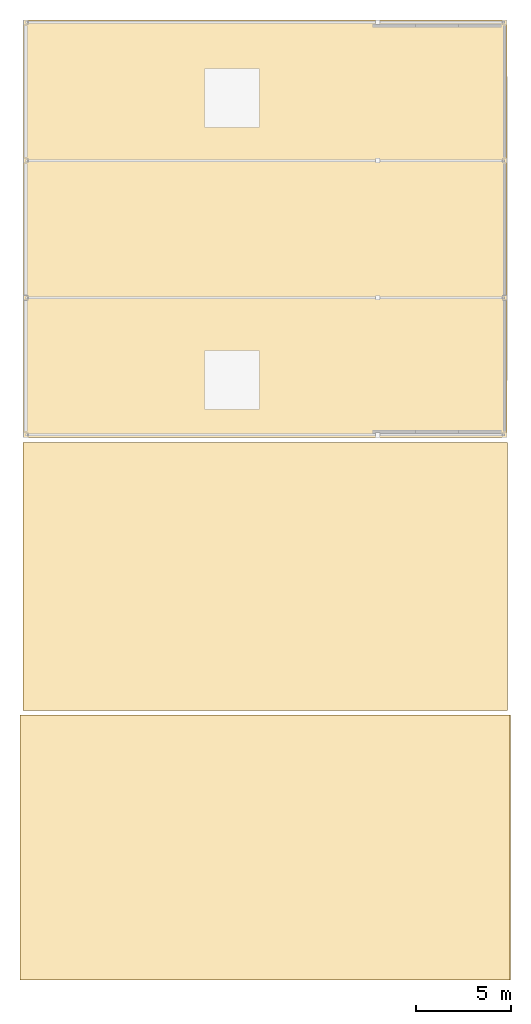
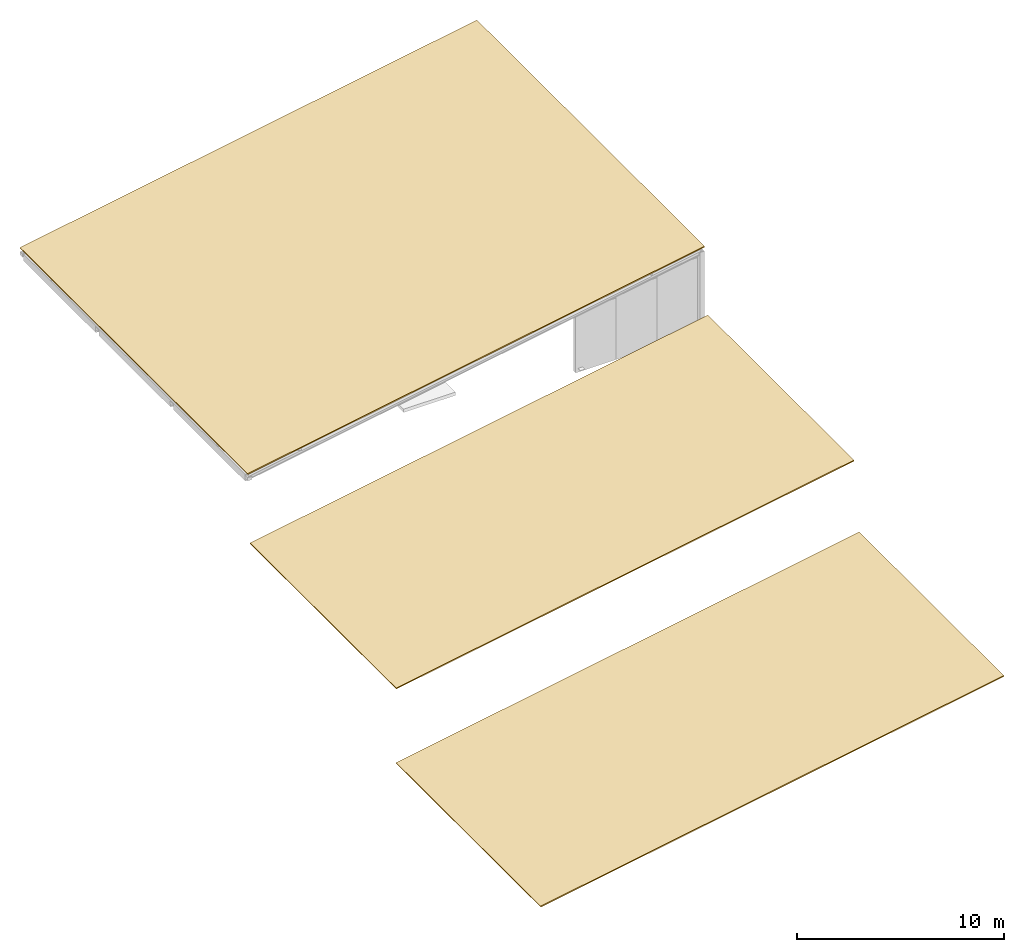
# One storey, part 2 of 2: 3 coverings, 1 element without a shape of its own.
"""IFC4 building model written with IfcOpenShell, lengths in metres."""

from ifc_helpers import new_model, si_unit, direction, frame, origin, place, context, subcontext, project, spatial, polyline, outline, extrude, material, layer, layer_set, type_object, element, aggregate, save


model = new_model("IFC4")

# Units and contexts
model_context = context("Model", 3, precision=1e-05, world=origin(), true_north=direction((0.0, 1.0)))
body_context = subcontext(model_context, "Body", "Model", "MODEL_VIEW")
ifc_project = project(units=[si_unit("LENGTHUNIT", "METRE"), si_unit("AREAUNIT", "SQUARE_METRE"), si_unit("VOLUMEUNIT", "CUBIC_METRE"), si_unit("PLANEANGLEUNIT", "RADIAN"), si_unit("MASSUNIT", "GRAM", prefix="KILO")], contexts=[model_context])

# Site, building, storey
site_placement = place(None, origin())
site = spatial("IfcSite", under=ifc_project, at=site_placement, CompositionType="ELEMENT")
building_placement = place(site_placement, origin())
building = spatial("IfcBuilding", under=site, at=building_placement, Name="Candilejo Ridge Gondola Terminal", CompositionType="ELEMENT")
storey_placement = place(building_placement, frame((0.0, 0.0, 27.0)))
storey = spatial("IfcBuildingStorey", under=building, at=storey_placement, Name="RF", CompositionType="ELEMENT", Elevation=27.0)

# Roof, coverings
ifc_material_1 = material(Name="Standing-seam Al-Mg-Mn alloy roofing EN AW-3004 1.0 mm", Category="aluminum")
roof_type = type_object("IfcRoofType", Name="ARC-ROOF-SHED", PredefinedType="SHED_ROOF", material=ifc_material_1)
roof_placement = place(storey_placement, origin())
roof = element("IfcRoof", 1, at=roof_placement, inside=storey, type_object=roof_type, Name="Standing-seam shed roof ROOF-SHED-V5B", PredefinedType="SHED_ROOF")
ifc_material_2 = material(Name="Standing-seam Al-Mg-Mn alloy roofing EN AW-3004 1.0 mm", Category="aluminum")
ifc_layer = layer(ifc_material_2, 0.06494140625)
ifc_layer_set = layer_set([ifc_layer], Name="ARC-COV-KALZIP")
covering_type = type_object("IfcCoveringType", Name="ARC-COV-KALZIP", PredefinedType="ROOFING", material=ifc_layer_set)
placement_1 = place(building_placement, frame((0.0, 0.0, 18.60009765625)))
covering_1_placement = place(placement_1, frame((149.699951171875, 70.25, 0.71484375), z_axis=(-0.173648174044, 0.0, 0.984807753651), x_axis=(0.984807753651, 0.0, 0.173648174044)))
covering_1 = element("IfcCovering", 2, at=covering_1_placement, type_object=covering_type, Name="Kalzip standing-seam roof sheet RF-V5-MID1", PredefinedType="ROOFING", context=body_context, shape_type="SweptSolid", body=[
    extrude(outline(polyline([(0.0, 0.0), (26.299697974913016, 0.0), (26.299697974913016, 14.000000000000004), (0.0, 14.000000000000004), (0.0, 0.0)])), origin(), (0.0, 0.0, -1.0), 0.06494140625),
])
placement_2 = place(building_placement, frame((0.0, 0.0, 22.800048828125)))
covering_2_placement = place(placement_2, frame((149.85009765625, 84.5, 0.71484375), z_axis=(-0.173656209564, 0.0, 0.984806336738), x_axis=(0.984806336738, 0.0, 0.173656209564)))
covering_2 = element("IfcCovering", 3, at=covering_2_placement, type_object=covering_type, Name="Kalzip standing-seam roof sheet RF-V5-MID2", PredefinedType="ROOFING", context=body_context, shape_type="SweptSolid", body=[
    extrude(outline(polyline([(0.0, 0.0), (25.99480990385836, 0.0), (25.99480990385836, 14.149902343750004), (0.0, 14.149902343750004), (0.0, 0.0)])), origin(), (0.0, 0.0, -1.0), 0.06494140625),
])
covering_3_placement = place(storey_placement, frame((149.875, 98.925048828125, 0.43505859375), z_axis=(-0.173646831402, 0.0, 0.984807990394), x_axis=(0.984807990394, 0.0, 0.173646831402)))
covering_3 = element("IfcCovering", 4, at=covering_3_placement, type_object=covering_type, Name="Kalzip standing-seam roof sheet RF-V5-CREST", PredefinedType="ROOFING", context=body_context, shape_type="SweptSolid", body=[
    extrude(outline(polyline([(0.0, 0.0), (25.94419326137055, 0.0), (25.94419326137055, 22.050048828125), (0.0, 22.050048828125), (0.0, 0.0)])), origin(), (0.0, 0.0, -1.0), 0.06494140625),
])
aggregate(roof, [covering_1, covering_2, covering_3])

save(model, "model.ifc")
